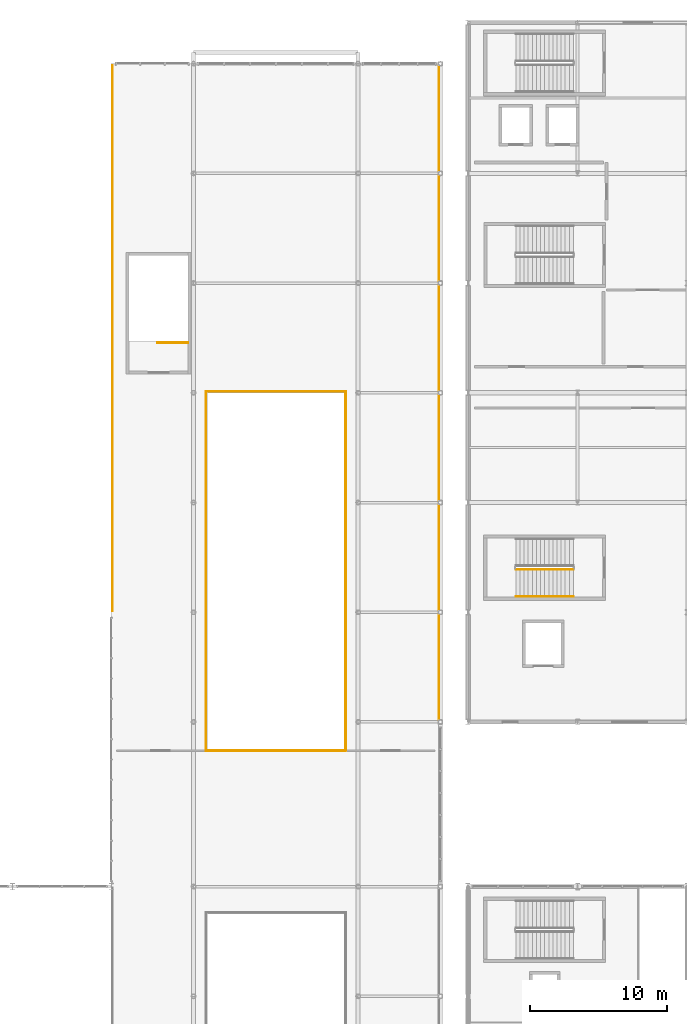
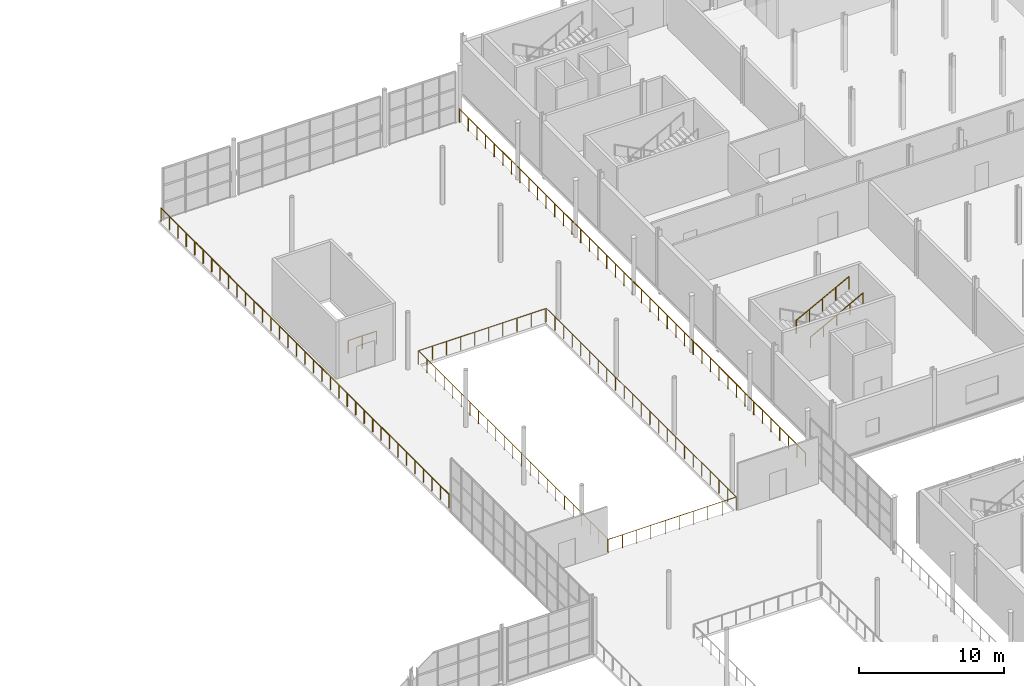
# One storey, part 137 of 143: 7 railings.
"""IFC4 building model written with IfcOpenShell, lengths in metres."""

from ifc_helpers import new_model, si_unit, derived_unit, direction, frame, origin, origin_2d, place, context, subcontext, project, spatial, circle, extrude, material, type_object, element, save


model = new_model("IFC4")

# Units and contexts
model_context = context("Model", 3, precision=1e-05, world=origin(), true_north=direction((0.0, 1.0)))
body_context = subcontext(model_context, "Body", "Model", "MODEL_VIEW")
ifc_project = project(units=[si_unit("LENGTHUNIT", "METRE"), si_unit("AREAUNIT", "SQUARE_METRE"), si_unit("VOLUMEUNIT", "CUBIC_METRE"), si_unit("PLANEANGLEUNIT", "RADIAN"), si_unit("MASSUNIT", "GRAM", prefix="KILO"), derived_unit("THERMALTRANSMITTANCEUNIT", [(si_unit("POWERUNIT", "WATT"), 1), (si_unit("LENGTHUNIT", "METRE"), -2), (si_unit("THERMODYNAMICTEMPERATUREUNIT", "KELVIN"), -1)])], contexts=[model_context])

# Site, building, storey
site_placement = place(None, origin())
site = spatial("IfcSite", under=ifc_project, at=site_placement, CompositionType="ELEMENT")
building_placement = place(site_placement, origin())
building = spatial("IfcBuilding", under=site, at=building_placement, Name="Keldorne Ridge Multi-Sports Centre", CompositionType="ELEMENT")
storey_placement = place(building_placement, frame((0.0, 0.0, 4.800048828125)))
storey = spatial("IfcBuildingStorey", under=building, at=storey_placement, Name="L01", CompositionType="ELEMENT", Elevation=4.800048828125)

# Railings
ifc_material_1 = material(Name="Laminated glass and stainless steel", Category="steel")
railing_type_1 = type_object("IfcRailingType", Name="RLG-BL-01", PredefinedType="BALUSTRADE", material=ifc_material_1)
railing_1_placement = place(storey_placement, frame((107.5, 77.110107421875, 2.56005859375)))
element("IfcRailing", 1, at=railing_1_placement, inside=storey, type_object=railing_type_1, Name="L01 ST-02 stair guard 3", PredefinedType="BALUSTRADE", context=body_context, shape_type="SweptSolid", body=[
    extrude(circle(Radius=0.02392578125, at=origin_2d()), frame((0.0, 0.0, 1.076171875), z_axis=(0.882351521365, 0.0, 0.470590897432), x_axis=(0.0, 1.0, 0.0)), (0.0, 0.0, 1.0), 4.760009765625),
    extrude(circle(Radius=0.02099609375, at=origin_2d()), origin(), (0.0, 0.0, 1.0), 1.052001953125),
    extrude(circle(Radius=0.02099609375, at=origin_2d()), frame((1.050048828125, 0.0, 0.56005859375)), (0.0, 0.0, 1.0), 1.052001953125),
    extrude(circle(Radius=0.02099609375, at=origin_2d()), frame((2.10009765625, 0.0, 1.1201171875)), (0.0, 0.0, 1.0), 1.052001953125),
    extrude(circle(Radius=0.02099609375, at=origin_2d()), frame((3.14990234375, 0.0, 1.679931640625)), (0.0, 0.0, 1.0), 1.052001953125),
    extrude(circle(Radius=0.02099609375, at=origin_2d()), frame((4.199951171875, 0.0, 2.239990234375)), (0.0, 0.0, 1.0), 1.052001953125),
])
railing_2_placement = place(storey_placement, frame((83.60009765625, 93.64990234375, 0.0)))
element("IfcRailing", 2, at=railing_2_placement, inside=storey, type_object=railing_type_1, Name="L01 ST-08 top well guard 1", PredefinedType="BALUSTRADE", context=body_context, shape_type="SweptSolid", body=[
    extrude(circle(Radius=0.02392578125, at=origin_2d()), frame((0.0, 0.0, 1.076171875), z_axis=(-1.0, 0.0, 0.0), x_axis=(0.0, -1.0, 0.0)), (0.0, 0.0, 1.0), 2.239990234375),
    extrude(circle(Radius=0.02099609375, at=origin_2d()), origin(), (0.0, 0.0, 1.0), 1.052001953125),
    extrude(circle(Radius=0.02099609375, at=origin_2d()), frame((-1.1201171875, 0.0, 0.0)), (0.0, 0.0, 1.0), 1.052001953125),
    extrude(circle(Radius=0.02099609375, at=origin_2d()), frame((-2.239990234375, 0.0, 0.0)), (0.0, 0.0, 1.0), 1.052001953125),
])
ifc_material_2 = material(Name="Painted steel", Category="steel")
railing_type_2 = type_object("IfcRailingType", Name="RLG-BL-02", PredefinedType="BALUSTRADE", material=ifc_material_2)
railing_3_placement = place(storey_placement, frame((78.10009765625, 74.10009765625, 0.0)))
element("IfcRailing", 3, at=railing_3_placement, inside=storey, type_object=railing_type_2, Name="Safety balustrade RLG-V4-WEST-N", PredefinedType="BALUSTRADE", context=body_context, shape_type="SweptSolid", body=[
    extrude(circle(Radius=0.02392578125, at=origin_2d()), frame((0.0, 0.0, 1.1259765625), z_axis=(0.0, 1.0, 0.0), x_axis=(-1.0, 0.0, 0.0)), (0.0, 0.0, 1.0), 39.75),
    extrude(circle(Radius=0.02099609375, at=origin_2d()), origin(), (0.0, 0.0, 1.0), 1.101806640625),
    extrude(circle(Radius=0.02099609375, at=origin_2d()), frame((0.0, 1.169189453125, 0.0)), (0.0, 0.0, 1.0), 1.101806640625),
    extrude(circle(Radius=0.02099609375, at=origin_2d()), frame((0.0, 2.338134765625, 0.0)), (0.0, 0.0, 1.0), 1.101806640625),
    extrude(circle(Radius=0.02099609375, at=origin_2d()), frame((0.0, 3.50732421875, 0.0)), (0.0, 0.0, 1.0), 1.101806640625),
    extrude(circle(Radius=0.02099609375, at=origin_2d()), frame((0.0, 4.676513671875, 0.0)), (0.0, 0.0, 1.0), 1.101806640625),
    extrude(circle(Radius=0.02099609375, at=origin_2d()), frame((0.0, 5.845703125, 0.0)), (0.0, 0.0, 1.0), 1.101806640625),
    extrude(circle(Radius=0.02099609375, at=origin_2d()), frame((0.0, 7.0146484375, 0.0)), (0.0, 0.0, 1.0), 1.101806640625),
    extrude(circle(Radius=0.02099609375, at=origin_2d()), frame((0.0, 8.183837890625, 0.0)), (0.0, 0.0, 1.0), 1.101806640625),
    extrude(circle(Radius=0.02099609375, at=origin_2d()), frame((0.0, 9.35302734375, 0.0)), (0.0, 0.0, 1.0), 1.101806640625),
    extrude(circle(Radius=0.02099609375, at=origin_2d()), frame((0.0, 10.52197265625, 0.0)), (0.0, 0.0, 1.0), 1.101806640625),
    extrude(circle(Radius=0.02099609375, at=origin_2d()), frame((0.0, 11.691162109375, 0.0)), (0.0, 0.0, 1.0), 1.101806640625),
    extrude(circle(Radius=0.02099609375, at=origin_2d()), frame((0.0, 12.8603515625, 0.0)), (0.0, 0.0, 1.0), 1.101806640625),
    extrude(circle(Radius=0.02099609375, at=origin_2d()), frame((0.0, 14.029296875, 0.0)), (0.0, 0.0, 1.0), 1.101806640625),
    extrude(circle(Radius=0.02099609375, at=origin_2d()), frame((0.0, 15.198486328125, 0.0)), (0.0, 0.0, 1.0), 1.101806640625),
    extrude(circle(Radius=0.02099609375, at=origin_2d()), frame((0.0, 16.36767578125, 0.0)), (0.0, 0.0, 1.0), 1.101806640625),
    extrude(circle(Radius=0.02099609375, at=origin_2d()), frame((0.0, 17.536865234375, 0.0)), (0.0, 0.0, 1.0), 1.101806640625),
    extrude(circle(Radius=0.02099609375, at=origin_2d()), frame((0.0, 18.705810546875, 0.0)), (0.0, 0.0, 1.0), 1.101806640625),
    extrude(circle(Radius=0.02099609375, at=origin_2d()), frame((0.0, 19.875, 0.0)), (0.0, 0.0, 1.0), 1.101806640625),
    extrude(circle(Radius=0.02099609375, at=origin_2d()), frame((0.0, 21.044189453125, 0.0)), (0.0, 0.0, 1.0), 1.101806640625),
    extrude(circle(Radius=0.02099609375, at=origin_2d()), frame((0.0, 22.213134765625, 0.0)), (0.0, 0.0, 1.0), 1.101806640625),
    extrude(circle(Radius=0.02099609375, at=origin_2d()), frame((0.0, 23.38232421875, 0.0)), (0.0, 0.0, 1.0), 1.101806640625),
    extrude(circle(Radius=0.02099609375, at=origin_2d()), frame((0.0, 24.551513671875, 0.0)), (0.0, 0.0, 1.0), 1.101806640625),
    extrude(circle(Radius=0.02099609375, at=origin_2d()), frame((0.0, 25.720703125, 0.0)), (0.0, 0.0, 1.0), 1.101806640625),
    extrude(circle(Radius=0.02099609375, at=origin_2d()), frame((0.0, 26.8896484375, 0.0)), (0.0, 0.0, 1.0), 1.101806640625),
    extrude(circle(Radius=0.02099609375, at=origin_2d()), frame((0.0, 28.058837890625, 0.0)), (0.0, 0.0, 1.0), 1.101806640625),
    extrude(circle(Radius=0.02099609375, at=origin_2d()), frame((0.0, 29.22802734375, 0.0)), (0.0, 0.0, 1.0), 1.101806640625),
    extrude(circle(Radius=0.02099609375, at=origin_2d()), frame((0.0, 30.39697265625, 0.0)), (0.0, 0.0, 1.0), 1.101806640625),
    extrude(circle(Radius=0.02099609375, at=origin_2d()), frame((0.0, 31.566162109375, 0.0)), (0.0, 0.0, 1.0), 1.101806640625),
    extrude(circle(Radius=0.02099609375, at=origin_2d()), frame((0.0, 32.7353515625, 0.0)), (0.0, 0.0, 1.0), 1.101806640625),
    extrude(circle(Radius=0.02099609375, at=origin_2d()), frame((0.0, 33.904296875, 0.0)), (0.0, 0.0, 1.0), 1.101806640625),
    extrude(circle(Radius=0.02099609375, at=origin_2d()), frame((0.0, 35.073486328125, 0.0)), (0.0, 0.0, 1.0), 1.101806640625),
    extrude(circle(Radius=0.02099609375, at=origin_2d()), frame((0.0, 36.24267578125, 0.0)), (0.0, 0.0, 1.0), 1.101806640625),
    extrude(circle(Radius=0.02099609375, at=origin_2d()), frame((0.0, 37.411865234375, 0.0)), (0.0, 0.0, 1.0), 1.101806640625),
    extrude(circle(Radius=0.02099609375, at=origin_2d()), frame((0.0, 38.580810546875, 0.0)), (0.0, 0.0, 1.0), 1.101806640625),
    extrude(circle(Radius=0.02099609375, at=origin_2d()), frame((0.0, 39.75, 0.0)), (0.0, 0.0, 1.0), 1.101806640625),
])
railing_4_placement = place(storey_placement, frame((101.89990234375, 66.10009765625, 0.0)))
element("IfcRailing", 4, at=railing_4_placement, inside=storey, type_object=railing_type_2, Name="Safety balustrade RLG-V4-EAST-N", PredefinedType="BALUSTRADE", context=body_context, shape_type="SweptSolid", body=[
    extrude(circle(Radius=0.02392578125, at=origin_2d()), frame((0.0, 0.0, 1.1259765625), z_axis=(0.0, 1.0, 0.0), x_axis=(-1.0, 0.0, 0.0)), (0.0, 0.0, 1.0), 47.75),
    extrude(circle(Radius=0.02099609375, at=origin_2d()), origin(), (0.0, 0.0, 1.0), 1.101806640625),
    extrude(circle(Radius=0.02099609375, at=origin_2d()), frame((0.0, 1.19384765625, 0.0)), (0.0, 0.0, 1.0), 1.101806640625),
    extrude(circle(Radius=0.02099609375, at=origin_2d()), frame((0.0, 2.387451171875, 0.0)), (0.0, 0.0, 1.0), 1.101806640625),
    extrude(circle(Radius=0.02099609375, at=origin_2d()), frame((0.0, 3.581298828125, 0.0)), (0.0, 0.0, 1.0), 1.101806640625),
    extrude(circle(Radius=0.02099609375, at=origin_2d()), frame((0.0, 4.77490234375, 0.0)), (0.0, 0.0, 1.0), 1.101806640625),
    extrude(circle(Radius=0.02099609375, at=origin_2d()), frame((0.0, 5.96875, 0.0)), (0.0, 0.0, 1.0), 1.101806640625),
    extrude(circle(Radius=0.02099609375, at=origin_2d()), frame((0.0, 7.16259765625, 0.0)), (0.0, 0.0, 1.0), 1.101806640625),
    extrude(circle(Radius=0.02099609375, at=origin_2d()), frame((0.0, 8.356201171875, 0.0)), (0.0, 0.0, 1.0), 1.101806640625),
    extrude(circle(Radius=0.02099609375, at=origin_2d()), frame((0.0, 9.550048828125, 0.0)), (0.0, 0.0, 1.0), 1.101806640625),
    extrude(circle(Radius=0.02099609375, at=origin_2d()), frame((0.0, 10.74365234375, 0.0)), (0.0, 0.0, 1.0), 1.101806640625),
    extrude(circle(Radius=0.02099609375, at=origin_2d()), frame((0.0, 11.9375, 0.0)), (0.0, 0.0, 1.0), 1.101806640625),
    extrude(circle(Radius=0.02099609375, at=origin_2d()), frame((0.0, 13.13134765625, 0.0)), (0.0, 0.0, 1.0), 1.101806640625),
    extrude(circle(Radius=0.02099609375, at=origin_2d()), frame((0.0, 14.324951171875, 0.0)), (0.0, 0.0, 1.0), 1.101806640625),
    extrude(circle(Radius=0.02099609375, at=origin_2d()), frame((0.0, 15.518798828125, 0.0)), (0.0, 0.0, 1.0), 1.101806640625),
    extrude(circle(Radius=0.02099609375, at=origin_2d()), frame((0.0, 16.71240234375, 0.0)), (0.0, 0.0, 1.0), 1.101806640625),
    extrude(circle(Radius=0.02099609375, at=origin_2d()), frame((0.0, 17.90625, 0.0)), (0.0, 0.0, 1.0), 1.101806640625),
    extrude(circle(Radius=0.02099609375, at=origin_2d()), frame((0.0, 19.10009765625, 0.0)), (0.0, 0.0, 1.0), 1.101806640625),
    extrude(circle(Radius=0.02099609375, at=origin_2d()), frame((0.0, 20.293701171875, 0.0)), (0.0, 0.0, 1.0), 1.101806640625),
    extrude(circle(Radius=0.02099609375, at=origin_2d()), frame((0.0, 21.487548828125, 0.0)), (0.0, 0.0, 1.0), 1.101806640625),
    extrude(circle(Radius=0.02099609375, at=origin_2d()), frame((0.0, 22.68115234375, 0.0)), (0.0, 0.0, 1.0), 1.101806640625),
    extrude(circle(Radius=0.02099609375, at=origin_2d()), frame((0.0, 23.875, 0.0)), (0.0, 0.0, 1.0), 1.101806640625),
    extrude(circle(Radius=0.02099609375, at=origin_2d()), frame((0.0, 25.06884765625, 0.0)), (0.0, 0.0, 1.0), 1.101806640625),
    extrude(circle(Radius=0.02099609375, at=origin_2d()), frame((0.0, 26.262451171875, 0.0)), (0.0, 0.0, 1.0), 1.101806640625),
    extrude(circle(Radius=0.02099609375, at=origin_2d()), frame((0.0, 27.456298828125, 0.0)), (0.0, 0.0, 1.0), 1.101806640625),
    extrude(circle(Radius=0.02099609375, at=origin_2d()), frame((0.0, 28.64990234375, 0.0)), (0.0, 0.0, 1.0), 1.101806640625),
    extrude(circle(Radius=0.02099609375, at=origin_2d()), frame((0.0, 29.84375, 0.0)), (0.0, 0.0, 1.0), 1.101806640625),
    extrude(circle(Radius=0.02099609375, at=origin_2d()), frame((0.0, 31.03759765625, 0.0)), (0.0, 0.0, 1.0), 1.101806640625),
    extrude(circle(Radius=0.02099609375, at=origin_2d()), frame((0.0, 32.231201171875, 0.0)), (0.0, 0.0, 1.0), 1.101806640625),
    extrude(circle(Radius=0.02099609375, at=origin_2d()), frame((0.0, 33.425048828125, 0.0)), (0.0, 0.0, 1.0), 1.101806640625),
    extrude(circle(Radius=0.02099609375, at=origin_2d()), frame((0.0, 34.61865234375, 0.0)), (0.0, 0.0, 1.0), 1.101806640625),
    extrude(circle(Radius=0.02099609375, at=origin_2d()), frame((0.0, 35.8125, 0.0)), (0.0, 0.0, 1.0), 1.101806640625),
    extrude(circle(Radius=0.02099609375, at=origin_2d()), frame((0.0, 37.00634765625, 0.0)), (0.0, 0.0, 1.0), 1.101806640625),
    extrude(circle(Radius=0.02099609375, at=origin_2d()), frame((0.0, 38.199951171875, 0.0)), (0.0, 0.0, 1.0), 1.101806640625),
    extrude(circle(Radius=0.02099609375, at=origin_2d()), frame((0.0, 39.393798828125, 0.0)), (0.0, 0.0, 1.0), 1.101806640625),
    extrude(circle(Radius=0.02099609375, at=origin_2d()), frame((0.0, 40.58740234375, 0.0)), (0.0, 0.0, 1.0), 1.101806640625),
    extrude(circle(Radius=0.02099609375, at=origin_2d()), frame((0.0, 41.78125, 0.0)), (0.0, 0.0, 1.0), 1.101806640625),
    extrude(circle(Radius=0.02099609375, at=origin_2d()), frame((0.0, 42.97509765625, 0.0)), (0.0, 0.0, 1.0), 1.101806640625),
    extrude(circle(Radius=0.02099609375, at=origin_2d()), frame((0.0, 44.168701171875, 0.0)), (0.0, 0.0, 1.0), 1.101806640625),
    extrude(circle(Radius=0.02099609375, at=origin_2d()), frame((0.0, 45.362548828125, 0.0)), (0.0, 0.0, 1.0), 1.101806640625),
    extrude(circle(Radius=0.02099609375, at=origin_2d()), frame((0.0, 46.55615234375, 0.0)), (0.0, 0.0, 1.0), 1.101806640625),
    extrude(circle(Radius=0.02099609375, at=origin_2d()), frame((0.0, 47.75, 0.0)), (0.0, 0.0, 1.0), 1.101806640625),
])
railing_5_placement = place(storey_placement, frame((84.89990234375, 63.89990234375, 0.0)))
element("IfcRailing", 5, at=railing_5_placement, inside=storey, type_object=railing_type_2, Name="Safety balustrade RLG-V4-VD2A", PredefinedType="BALUSTRADE", context=body_context, shape_type="SweptSolid", body=[
    extrude(circle(Radius=0.02392578125, at=origin_2d()), frame((0.0, 0.0, 1.1259765625), z_axis=(1.0, 0.0, 0.0), x_axis=(0.0, 1.0, 0.0)), (0.0, 0.0, 1.0), 10.2001953125),
    extrude(circle(Radius=0.02392578125, at=origin_2d()), frame((10.2001953125, 0.0, 1.1259765625), z_axis=(0.0, 1.0, 0.0), x_axis=(-1.0, 0.0, 0.0)), (0.0, 0.0, 1.0), 26.2001953125),
    extrude(circle(Radius=0.02099609375, at=origin_2d()), origin(), (0.0, 0.0, 1.0), 1.101806640625),
    extrude(circle(Radius=0.02099609375, at=origin_2d()), frame((1.13330078125, 0.0, 0.0)), (0.0, 0.0, 1.0), 1.101806640625),
    extrude(circle(Radius=0.02099609375, at=origin_2d()), frame((2.2666015625, 0.0, 0.0)), (0.0, 0.0, 1.0), 1.101806640625),
    extrude(circle(Radius=0.02099609375, at=origin_2d()), frame((3.400146484375, 0.0, 0.0)), (0.0, 0.0, 1.0), 1.101806640625),
    extrude(circle(Radius=0.02099609375, at=origin_2d()), frame((4.533447265625, 0.0, 0.0)), (0.0, 0.0, 1.0), 1.101806640625),
    extrude(circle(Radius=0.02099609375, at=origin_2d()), frame((5.666748046875, 0.0, 0.0)), (0.0, 0.0, 1.0), 1.101806640625),
    extrude(circle(Radius=0.02099609375, at=origin_2d()), frame((6.800048828125, 0.0, 0.0)), (0.0, 0.0, 1.0), 1.101806640625),
    extrude(circle(Radius=0.02099609375, at=origin_2d()), frame((7.93359375, 0.0, 0.0)), (0.0, 0.0, 1.0), 1.101806640625),
    extrude(circle(Radius=0.02099609375, at=origin_2d()), frame((9.06689453125, 0.0, 0.0)), (0.0, 0.0, 1.0), 1.101806640625),
    extrude(circle(Radius=0.02099609375, at=origin_2d()), frame((10.2001953125, 0.0, 0.0)), (0.0, 0.0, 1.0), 1.101806640625),
    extrude(circle(Radius=0.02099609375, at=origin_2d()), frame((10.2001953125, 1.19091796875, 0.0)), (0.0, 0.0, 1.0), 1.101806640625),
    extrude(circle(Radius=0.02099609375, at=origin_2d()), frame((10.2001953125, 2.3818359375, 0.0)), (0.0, 0.0, 1.0), 1.101806640625),
    extrude(circle(Radius=0.02099609375, at=origin_2d()), frame((10.2001953125, 3.57275390625, 0.0)), (0.0, 0.0, 1.0), 1.101806640625),
    extrude(circle(Radius=0.02099609375, at=origin_2d()), frame((10.2001953125, 4.763671875, 0.0)), (0.0, 0.0, 1.0), 1.101806640625),
    extrude(circle(Radius=0.02099609375, at=origin_2d()), frame((10.2001953125, 5.95458984375, 0.0)), (0.0, 0.0, 1.0), 1.101806640625),
    extrude(circle(Radius=0.02099609375, at=origin_2d()), frame((10.2001953125, 7.1455078125, 0.0)), (0.0, 0.0, 1.0), 1.101806640625),
    extrude(circle(Radius=0.02099609375, at=origin_2d()), frame((10.2001953125, 8.33642578125, 0.0)), (0.0, 0.0, 1.0), 1.101806640625),
    extrude(circle(Radius=0.02099609375, at=origin_2d()), frame((10.2001953125, 9.52734375, 0.0)), (0.0, 0.0, 1.0), 1.101806640625),
    extrude(circle(Radius=0.02099609375, at=origin_2d()), frame((10.2001953125, 10.71826171875, 0.0)), (0.0, 0.0, 1.0), 1.101806640625),
    extrude(circle(Radius=0.02099609375, at=origin_2d()), frame((10.2001953125, 11.9091796875, 0.0)), (0.0, 0.0, 1.0), 1.101806640625),
    extrude(circle(Radius=0.02099609375, at=origin_2d()), frame((10.2001953125, 13.10009765625, 0.0)), (0.0, 0.0, 1.0), 1.101806640625),
    extrude(circle(Radius=0.02099609375, at=origin_2d()), frame((10.2001953125, 14.291015625, 0.0)), (0.0, 0.0, 1.0), 1.101806640625),
    extrude(circle(Radius=0.02099609375, at=origin_2d()), frame((10.2001953125, 15.48193359375, 0.0)), (0.0, 0.0, 1.0), 1.101806640625),
    extrude(circle(Radius=0.02099609375, at=origin_2d()), frame((10.2001953125, 16.6728515625, 0.0)), (0.0, 0.0, 1.0), 1.101806640625),
    extrude(circle(Radius=0.02099609375, at=origin_2d()), frame((10.2001953125, 17.86376953125, 0.0)), (0.0, 0.0, 1.0), 1.101806640625),
    extrude(circle(Radius=0.02099609375, at=origin_2d()), frame((10.2001953125, 19.0546875, 0.0)), (0.0, 0.0, 1.0), 1.101806640625),
    extrude(circle(Radius=0.02099609375, at=origin_2d()), frame((10.2001953125, 20.24560546875, 0.0)), (0.0, 0.0, 1.0), 1.101806640625),
    extrude(circle(Radius=0.02099609375, at=origin_2d()), frame((10.2001953125, 21.4365234375, 0.0)), (0.0, 0.0, 1.0), 1.101806640625),
    extrude(circle(Radius=0.02099609375, at=origin_2d()), frame((10.2001953125, 22.62744140625, 0.0)), (0.0, 0.0, 1.0), 1.101806640625),
    extrude(circle(Radius=0.02099609375, at=origin_2d()), frame((10.2001953125, 23.818359375, 0.0)), (0.0, 0.0, 1.0), 1.101806640625),
    extrude(circle(Radius=0.02099609375, at=origin_2d()), frame((10.2001953125, 25.00927734375, 0.0)), (0.0, 0.0, 1.0), 1.101806640625),
    extrude(circle(Radius=0.02099609375, at=origin_2d()), frame((10.2001953125, 26.2001953125, 0.0)), (0.0, 0.0, 1.0), 1.101806640625),
])
railing_6_placement = place(storey_placement, frame((95.0, 90.10009765625, 0.0)))
element("IfcRailing", 6, at=railing_6_placement, inside=storey, type_object=railing_type_2, Name="Safety balustrade RLG-V4-VD2B", PredefinedType="BALUSTRADE", context=body_context, shape_type="SweptSolid", body=[
    extrude(circle(Radius=0.02392578125, at=origin_2d()), frame((0.0, 0.0, 1.1259765625), z_axis=(-1.0, 0.0, 0.0), x_axis=(0.0, -1.0, 0.0)), (0.0, 0.0, 1.0), 10.10009765625),
    extrude(circle(Radius=0.02392578125, at=origin_2d()), frame((-10.10009765625, 0.0, 1.1259765625), z_axis=(0.0, -1.0, 0.0), x_axis=(1.0, 0.0, 0.0)), (0.0, 0.0, 1.0), 26.10009765625),
    extrude(circle(Radius=0.02099609375, at=origin_2d()), origin(), (0.0, 0.0, 1.0), 1.101806640625),
    extrude(circle(Radius=0.02099609375, at=origin_2d()), frame((-1.122314453125, 0.0, 0.0)), (0.0, 0.0, 1.0), 1.101806640625),
    extrude(circle(Radius=0.02099609375, at=origin_2d()), frame((-2.244384765625, 0.0, 0.0)), (0.0, 0.0, 1.0), 1.101806640625),
    extrude(circle(Radius=0.02099609375, at=origin_2d()), frame((-3.36669921875, 0.0, 0.0)), (0.0, 0.0, 1.0), 1.101806640625),
    extrude(circle(Radius=0.02099609375, at=origin_2d()), frame((-4.489013671875, 0.0, 0.0)), (0.0, 0.0, 1.0), 1.101806640625),
    extrude(circle(Radius=0.02099609375, at=origin_2d()), frame((-5.611083984375, 0.0, 0.0)), (0.0, 0.0, 1.0), 1.101806640625),
    extrude(circle(Radius=0.02099609375, at=origin_2d()), frame((-6.7333984375, 0.0, 0.0)), (0.0, 0.0, 1.0), 1.101806640625),
    extrude(circle(Radius=0.02099609375, at=origin_2d()), frame((-7.855712890625, 0.0, 0.0)), (0.0, 0.0, 1.0), 1.101806640625),
    extrude(circle(Radius=0.02099609375, at=origin_2d()), frame((-8.977783203125, 0.0, 0.0)), (0.0, 0.0, 1.0), 1.101806640625),
    extrude(circle(Radius=0.02099609375, at=origin_2d()), frame((-10.10009765625, 0.0, 0.0)), (0.0, 0.0, 1.0), 1.101806640625),
    extrude(circle(Radius=0.02099609375, at=origin_2d()), frame((-10.10009765625, -1.186279296875, 0.0)), (0.0, 0.0, 1.0), 1.101806640625),
    extrude(circle(Radius=0.02099609375, at=origin_2d()), frame((-10.10009765625, -2.372802734375, 0.0)), (0.0, 0.0, 1.0), 1.101806640625),
    extrude(circle(Radius=0.02099609375, at=origin_2d()), frame((-10.10009765625, -3.55908203125, 0.0)), (0.0, 0.0, 1.0), 1.101806640625),
    extrude(circle(Radius=0.02099609375, at=origin_2d()), frame((-10.10009765625, -4.745361328125, 0.0)), (0.0, 0.0, 1.0), 1.101806640625),
    extrude(circle(Radius=0.02099609375, at=origin_2d()), frame((-10.10009765625, -5.931884765625, 0.0)), (0.0, 0.0, 1.0), 1.101806640625),
    extrude(circle(Radius=0.02099609375, at=origin_2d()), frame((-10.10009765625, -7.1181640625, 0.0)), (0.0, 0.0, 1.0), 1.101806640625),
    extrude(circle(Radius=0.02099609375, at=origin_2d()), frame((-10.10009765625, -8.3046875, 0.0)), (0.0, 0.0, 1.0), 1.101806640625),
    extrude(circle(Radius=0.02099609375, at=origin_2d()), frame((-10.10009765625, -9.490966796875, 0.0)), (0.0, 0.0, 1.0), 1.101806640625),
    extrude(circle(Radius=0.02099609375, at=origin_2d()), frame((-10.10009765625, -10.67724609375, 0.0)), (0.0, 0.0, 1.0), 1.101806640625),
    extrude(circle(Radius=0.02099609375, at=origin_2d()), frame((-10.10009765625, -11.86376953125, 0.0)), (0.0, 0.0, 1.0), 1.101806640625),
    extrude(circle(Radius=0.02099609375, at=origin_2d()), frame((-10.10009765625, -13.050048828125, 0.0)), (0.0, 0.0, 1.0), 1.101806640625),
    extrude(circle(Radius=0.02099609375, at=origin_2d()), frame((-10.10009765625, -14.236328125, 0.0)), (0.0, 0.0, 1.0), 1.101806640625),
    extrude(circle(Radius=0.02099609375, at=origin_2d()), frame((-10.10009765625, -15.4228515625, 0.0)), (0.0, 0.0, 1.0), 1.101806640625),
    extrude(circle(Radius=0.02099609375, at=origin_2d()), frame((-10.10009765625, -16.609130859375, 0.0)), (0.0, 0.0, 1.0), 1.101806640625),
    extrude(circle(Radius=0.02099609375, at=origin_2d()), frame((-10.10009765625, -17.79541015625, 0.0)), (0.0, 0.0, 1.0), 1.101806640625),
    extrude(circle(Radius=0.02099609375, at=origin_2d()), frame((-10.10009765625, -18.98193359375, 0.0)), (0.0, 0.0, 1.0), 1.101806640625),
    extrude(circle(Radius=0.02099609375, at=origin_2d()), frame((-10.10009765625, -20.168212890625, 0.0)), (0.0, 0.0, 1.0), 1.101806640625),
    extrude(circle(Radius=0.02099609375, at=origin_2d()), frame((-10.10009765625, -21.354736328125, 0.0)), (0.0, 0.0, 1.0), 1.101806640625),
    extrude(circle(Radius=0.02099609375, at=origin_2d()), frame((-10.10009765625, -22.541015625, 0.0)), (0.0, 0.0, 1.0), 1.101806640625),
    extrude(circle(Radius=0.02099609375, at=origin_2d()), frame((-10.10009765625, -23.727294921875, 0.0)), (0.0, 0.0, 1.0), 1.101806640625),
    extrude(circle(Radius=0.02099609375, at=origin_2d()), frame((-10.10009765625, -24.913818359375, 0.0)), (0.0, 0.0, 1.0), 1.101806640625),
    extrude(circle(Radius=0.02099609375, at=origin_2d()), frame((-10.10009765625, -26.10009765625, 0.0)), (0.0, 0.0, 1.0), 1.101806640625),
])
ifc_material_3 = material(Name="Stainless steel", Category="steel")
railing_type_3 = type_object("IfcRailingType", Name="RLG-HR-01", PredefinedType="HANDRAIL", material=ifc_material_3)
railing_7_placement = place(storey_placement, frame((107.5, 75.14990234375, 2.56005859375)))
element("IfcRailing", 7, at=railing_7_placement, inside=storey, type_object=railing_type_3, Name="L01 ST-02 stair handrail 2", PredefinedType="HANDRAIL", context=body_context, shape_type="SweptSolid", body=[
    extrude(circle(Radius=0.02392578125, at=origin_2d()), frame((0.0, 0.0, 0.8759765625), z_axis=(0.882351521365, 0.0, 0.470590897432), x_axis=(0.0, 1.0, 0.0)), (0.0, 0.0, 1.0), 4.760009765625),
    extrude(circle(Radius=0.02099609375, at=origin_2d()), origin(), (0.0, 0.0, 1.0), 0.851806640625),
    extrude(circle(Radius=0.02099609375, at=origin_2d()), frame((1.050048828125, 0.0, 0.56005859375)), (0.0, 0.0, 1.0), 0.851806640625),
    extrude(circle(Radius=0.02099609375, at=origin_2d()), frame((2.10009765625, 0.0, 1.1201171875)), (0.0, 0.0, 1.0), 0.851806640625),
    extrude(circle(Radius=0.02099609375, at=origin_2d()), frame((3.14990234375, 0.0, 1.679931640625)), (0.0, 0.0, 1.0), 0.851806640625),
    extrude(circle(Radius=0.02099609375, at=origin_2d()), frame((4.199951171875, 0.0, 2.239990234375)), (0.0, 0.0, 1.0), 0.851806640625),
])

save(model, "model.ifc")
